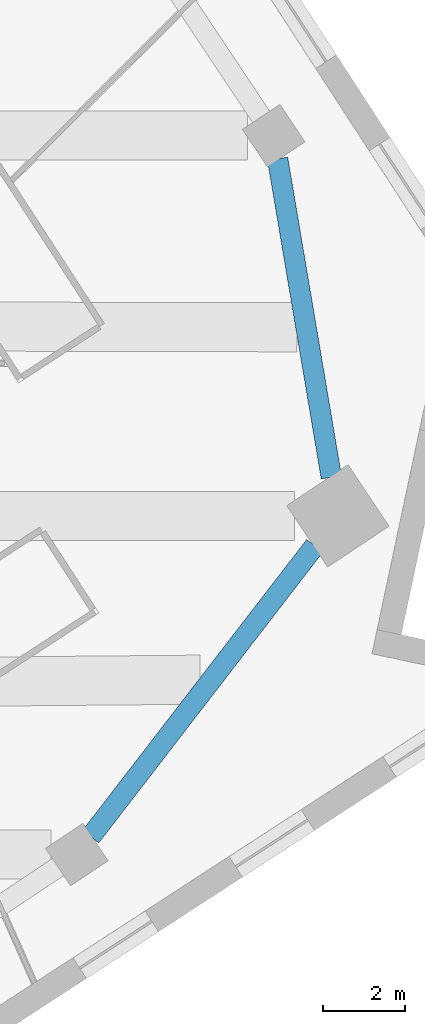
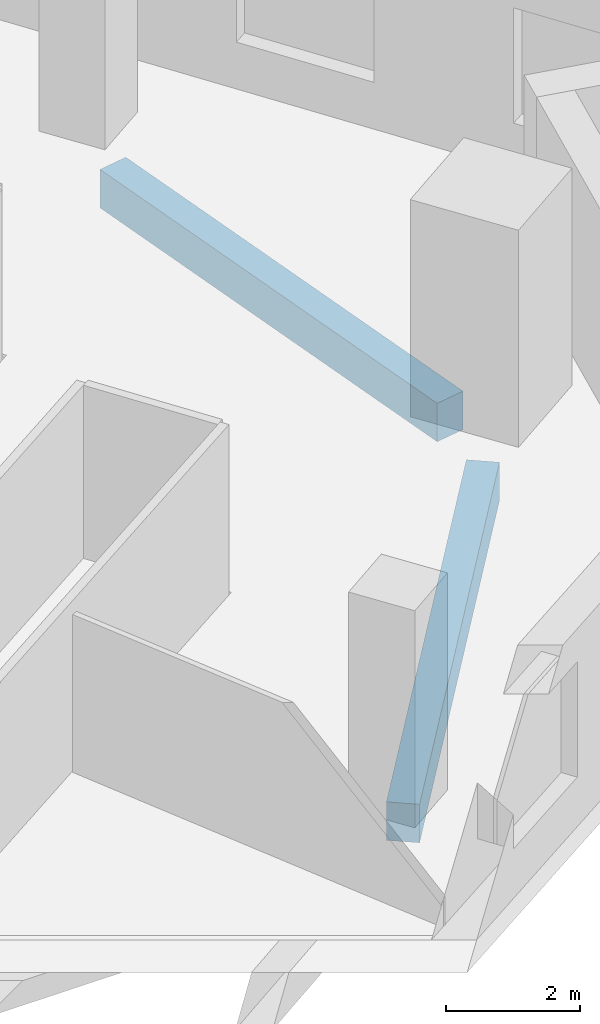
# One storey, part 3 of 12: 2 beams.
"""IFC4 building model written with IfcOpenShell, lengths in metres."""

from ifc_helpers import new_model, si_unit, direction, frame, origin, origin_2d, place, context, subcontext, project, spatial, rectangle, extrude, material, material_profile, profile_set, type_object, element, save


model = new_model("IFC4")

# Units and contexts
model_context = context("Model", 3, precision=1e-05, world=origin(), true_north=direction((0.0, 1.0)))
body_context = subcontext(model_context, "Body", "Model", "MODEL_VIEW")
ifc_project = project(units=[si_unit("LENGTHUNIT", "METRE"), si_unit("AREAUNIT", "SQUARE_METRE"), si_unit("VOLUMEUNIT", "CUBIC_METRE"), si_unit("PLANEANGLEUNIT", "RADIAN"), si_unit("MASSUNIT", "GRAM", prefix="KILO")], contexts=[model_context])

# Site, building, storey
site_placement = place(None, origin())
site = spatial("IfcSite", under=ifc_project, at=site_placement, CompositionType="ELEMENT")
building_placement = place(site_placement, origin())
building = spatial("IfcBuilding", under=site, at=building_placement, Name="Dilmun Exchange Tower", CompositionType="ELEMENT")
storey_placement = place(building_placement, frame((0.0, 0.0, 155.699951171875)))
storey = spatial("IfcBuildingStorey", under=building, at=storey_placement, Name="L36", CompositionType="ELEMENT", Elevation=155.699951171875)

# Beams
ifc_material = material(Name="Concrete C40/50", Category="concrete")
ifc_material_profile = material_profile(ifc_material, rectangle(XDim=0.5, YDim=0.699951171875, at=origin_2d()), Name="500 x 700")
ifc_profile_set = profile_set([ifc_material_profile], Name="Concrete C40/50")
beam_type = type_object("IfcBeamType", Name="RC ring beam 500 x 700 C40/50", PredefinedType="SPANDREL", material=ifc_profile_set)
beam_1_placement = place(storey_placement, frame((25.037109375, -11.819580078125, -0.75), z_axis=(0.610521727247, 0.791999507929, 0.0), x_axis=(-0.791999507929, 0.610521727247, 0.0)))
element("IfcBeam", 1, at=beam_1_placement, inside=storey, type_object=beam_type, Name="Ring beam 12", PredefinedType="SPANDREL", context=body_context, shape_type="SweptSolid", body=[
    extrude(rectangle(XDim=0.5, YDim=0.699951171875, at=origin_2d()), origin(), (0.0, 0.0, 1.0), 8.97314453125),
])
beam_2_placement = place(storey_placement, frame((30.91943359375, -3.036376953125, -0.75), z_axis=(-0.166485785433, 0.986043854628, 0.0), x_axis=(-0.986043854628, -0.166485785433, 0.0)))
element("IfcBeam", 2, at=beam_2_placement, inside=storey, type_object=beam_type, Name="Ring beam 13", PredefinedType="SPANDREL", context=body_context, shape_type="SweptSolid", body=[
    extrude(rectangle(XDim=0.5, YDim=0.699951171875, at=origin_2d()), origin(), (0.0, 0.0, 1.0), 7.890869140625),
])

save(model, "model.ifc")
